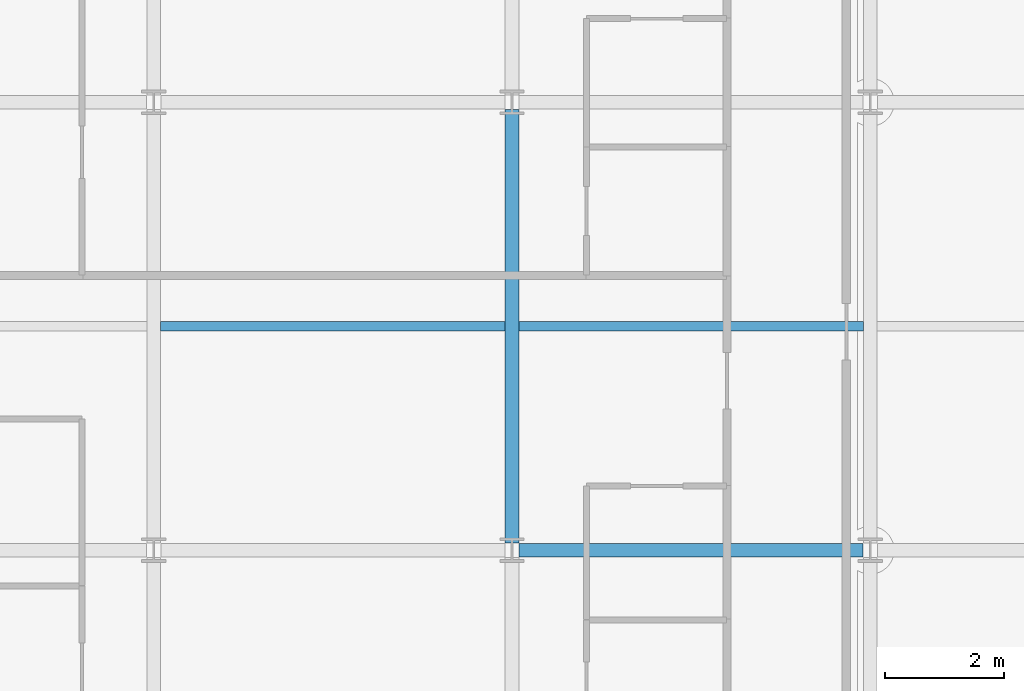
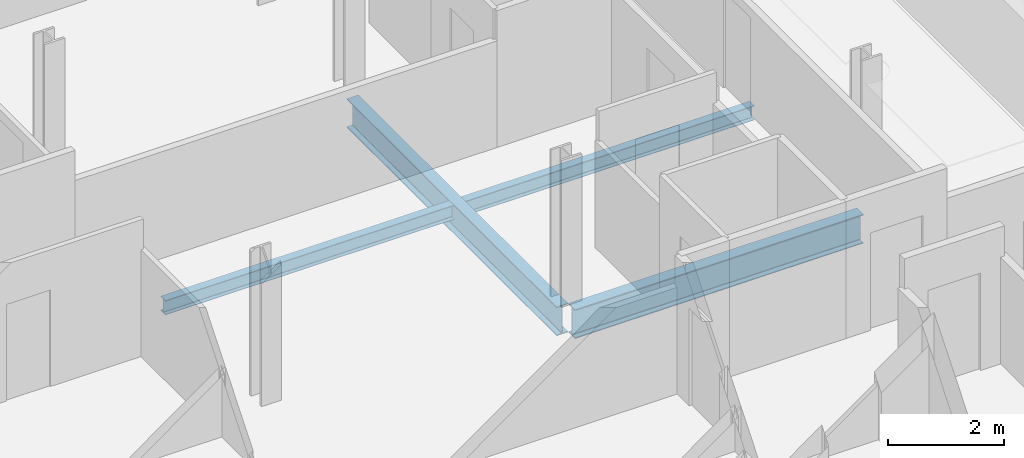
# One storey, part 8 of 41: 4 beams.
"""IFC4 building model written with IfcOpenShell, lengths in metres."""

from ifc_helpers import new_model, si_unit, direction, frame, origin, origin_2d, place, context, subcontext, project, spatial, i_section, extrude, material, material_profile, profile_set, type_object, element, save


model = new_model("IFC4")

# Units and contexts
model_context = context("Model", 3, precision=1e-05, world=origin(), true_north=direction((0.0, 1.0)))
body_context = subcontext(model_context, "Body", "Model", "MODEL_VIEW")
ifc_project = project(units=[si_unit("LENGTHUNIT", "METRE"), si_unit("AREAUNIT", "SQUARE_METRE"), si_unit("VOLUMEUNIT", "CUBIC_METRE"), si_unit("PLANEANGLEUNIT", "RADIAN"), si_unit("MASSUNIT", "GRAM", prefix="KILO")], contexts=[model_context])

# Site, building, storey
site_placement = place(None, origin())
site = spatial("IfcSite", under=ifc_project, at=site_placement, CompositionType="ELEMENT")
building_placement = place(site_placement, origin())
building = spatial("IfcBuilding", under=site, at=building_placement, Name="Brevholm Reach", CompositionType="ELEMENT")
storey_placement = place(building_placement, frame((0.0, 0.0, 169.699951171875)))
storey = spatial("IfcBuildingStorey", under=building, at=storey_placement, Name="L51", CompositionType="ELEMENT", Elevation=169.699951171875)

# Beams
ifc_material_1 = material(Name="Structural Steel S355J2", Category="steel")
ifc_material_profile_1 = material_profile(ifc_material_1, i_section(OverallWidth=0.1650390625, OverallDepth=0.303466796875, WebThickness=0.006103515625, FlangeThickness=0.01025390625, FilletRadius=0.0087890625, at=origin_2d()), Name="UKB 305x165x40")
ifc_profile_set_1 = profile_set([ifc_material_profile_1], Name="Structural Steel S355J2")
beam_type_1 = type_object("IfcBeamType", Name="BM-B305", PredefinedType="BEAM", material=ifc_profile_set_1)
for number, where, z_axis, x_axis, name in (
    (1, (6.114501953125, 19.75, -0.37158203125), (1.0, 0.0, 0.0), (0.0, 1.0, 0.0), "L51 Composite Secondary Floor Beam"),
    (2, (12.114501953125, 19.75, -0.37158203125), (1.0, 0.0, 0.0), (0.0, 1.0, 0.0), "L51 Composite Secondary Floor Beam"),
):
    element("IfcBeam", number, at=place(storey_placement, frame(where, z_axis=z_axis, x_axis=x_axis)), inside=storey, type_object=beam_type_1, Name=name, PredefinedType="BEAM", context=body_context, shape_type="SweptSolid", body=[
        extrude(i_section(OverallWidth=0.1650390625, OverallDepth=0.303466796875, WebThickness=0.006103515625, FlangeThickness=0.01025390625, FilletRadius=0.0087890625, at=origin_2d()), origin(), (0.0, 0.0, 1.0), 5.77099609375),
    ])
ifc_material_2 = material(Name="Structural Steel S355J2", Category="steel")
ifc_material_profile_2 = material_profile(ifc_material_2, i_section(OverallWidth=0.22900390625, OverallDepth=0.6123046875, WebThickness=0.011962890625, FlangeThickness=0.01953125, FilletRadius=0.0126953125, at=origin_2d()), Name="UKB 610x229x125")
ifc_profile_set_2 = profile_set([ifc_material_profile_2], Name="Structural Steel S355J2")
beam_type_2 = type_object("IfcBeamType", Name="BM-SP610", PredefinedType="SPANDREL", material=ifc_profile_set_2)
beam_1_placement = place(storey_placement, frame((12.1201171875, 16.0, -0.526123046875), z_axis=(1.0, 0.0, 0.0), x_axis=(0.0, 1.0, 0.0)))
element("IfcBeam", 3, at=beam_1_placement, inside=storey, type_object=beam_type_2, Name="L51 SP-01 Framing Beam", PredefinedType="SPANDREL", context=body_context, shape_type="SweptSolid", body=[
    extrude(i_section(OverallWidth=0.22900390625, OverallDepth=0.6123046875, WebThickness=0.011962890625, FlangeThickness=0.01953125, FilletRadius=0.0126953125, at=origin_2d()), origin(), (0.0, 0.0, 1.0), 5.759765625),
])
beam_2_placement = place(storey_placement, frame((12.0, 16.1201171875, -0.526123046875), z_axis=(0.0, 1.0, 0.0), x_axis=(-1.0, 0.0, 0.0)))
element("IfcBeam", 4, at=beam_2_placement, inside=storey, type_object=beam_type_2, Name="L51 SP-01 Framing Beam", PredefinedType="SPANDREL", context=body_context, shape_type="SweptSolid", body=[
    extrude(i_section(OverallWidth=0.22900390625, OverallDepth=0.6123046875, WebThickness=0.011962890625, FlangeThickness=0.01953125, FilletRadius=0.0126953125, at=origin_2d()), origin(), (0.0, 0.0, 1.0), 7.259765625),
])

save(model, "model.ifc")
